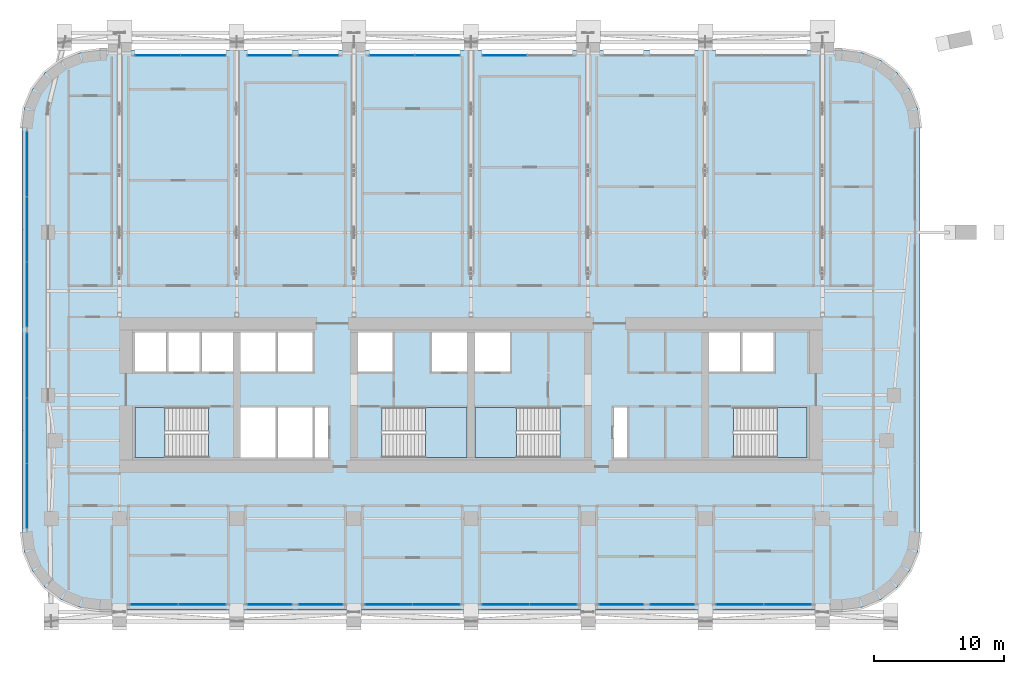
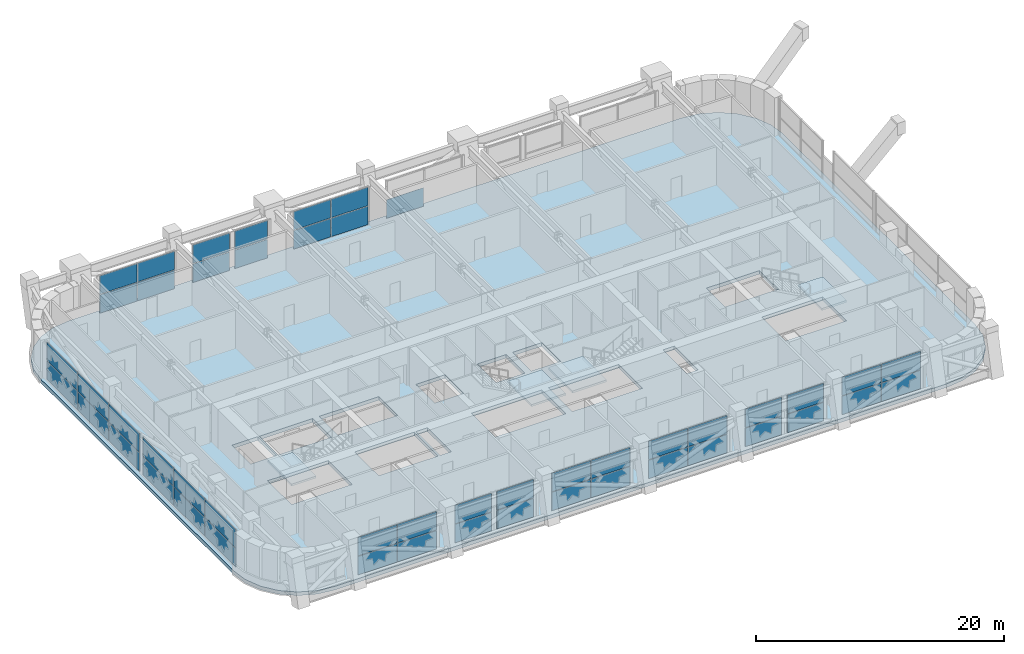
# One storey, part 11 of 27: 49 plates, 5 slabs, 19 elements without a shape of their own.
"""IFC4 building model written with IfcOpenShell, lengths in metres."""

from ifc_helpers import new_model, si_unit, direction, frame, origin, origin_2d, place, context, subcontext, project, spatial, polyline, rectangle, outline, extrude, material, layer, layer_set, type_object, element, aggregate, save


model = new_model("IFC4")

# Units and contexts
model_context = context("Model", 3, precision=1e-05, world=origin(), true_north=direction((0.0, 1.0)))
body_context = subcontext(model_context, "Body", "Model", "MODEL_VIEW")
ifc_project = project(units=[si_unit("LENGTHUNIT", "METRE"), si_unit("AREAUNIT", "SQUARE_METRE"), si_unit("VOLUMEUNIT", "CUBIC_METRE"), si_unit("PLANEANGLEUNIT", "RADIAN"), si_unit("MASSUNIT", "GRAM", prefix="KILO")], contexts=[model_context])

# Site, building, storey
site_placement = place(None, origin())
site = spatial("IfcSite", under=ifc_project, at=site_placement, CompositionType="ELEMENT")
building_placement = place(site_placement, origin())
building = spatial("IfcBuilding", under=site, at=building_placement, Name="Zellij Exchange Tower", CompositionType="ELEMENT")
storey_placement = place(building_placement, frame((0.0, 0.0, 104.5)))
storey = spatial("IfcBuildingStorey", under=building, at=storey_placement, Name="L22", CompositionType="ELEMENT", Elevation=104.5)

# Stair, slab
ifc_material_1 = material(Name="Concrete C40/50", Category="concrete")
stair_type = type_object("IfcStairType", Name="CORE-ST exit stair 1850 wide", PredefinedType="HALF_TURN_STAIR", material=ifc_material_1)
stair_1_placement = place(storey_placement, origin())
stair_1 = element("IfcStair", 1, at=stair_1_placement, inside=storey, type_object=stair_type, Name="L22 exit stair ST1", PredefinedType="HALF_TURN_STAIR")
ifc_layer_1 = layer(ifc_material_1, 0.199951171875)
ifc_layer_set_1 = layer_set([ifc_layer_1], Name="Concrete C40/50")
slab_type_1 = type_object("IfcSlabType", Name="CORE-SL stair landing 200", PredefinedType="LANDING", material=ifc_layer_set_1)
slab_1_placement = place(storey_placement, frame((0.0, 0.0, 1.800048828125)))
slab_1 = element("IfcSlab", 2, at=slab_1_placement, type_object=slab_type_1, Name="ST1 landing 1", PredefinedType="LANDING", context=body_context, shape_type="SweptSolid", body=[
    extrude(outline(polyline([(-23.510009765625, -8.949951171875), (-25.800048828125, -8.949951171875), (-25.800048828125, -12.800048828125), (-23.510009765625, -12.800048828125), (-23.510009765625, -8.949951171875)])), origin(), (0.0, 0.0, 1.0), 0.199951171875),
])
aggregate(stair_1, [slab_1])

stair_2_placement = place(storey_placement, origin())
stair_2 = element("IfcStair", 3, at=stair_2_placement, inside=storey, type_object=stair_type, Name="L22 exit stair ST2", PredefinedType="HALF_TURN_STAIR")
slab_2_placement = place(storey_placement, frame((0.0, 0.0, 1.800048828125)))
slab_2 = element("IfcSlab", 4, at=slab_2_placement, type_object=slab_type_1, Name="ST2 landing 1", PredefinedType="LANDING", context=body_context, shape_type="SweptSolid", body=[
    extrude(outline(polyline([(-3.489990234375, -12.800048828125), (-0.300048828125, -12.800048828125), (-0.300048828125, -8.949951171875), (-3.489990234375, -8.949951171875), (-3.489990234375, -12.800048828125)])), origin(), (0.0, 0.0, 1.0), 0.199951171875),
])
aggregate(stair_2, [slab_2])

stair_3_placement = place(storey_placement, origin())
stair_3 = element("IfcStair", 5, at=stair_3_placement, inside=storey, type_object=stair_type, Name="L22 exit stair ST3", PredefinedType="HALF_TURN_STAIR")
slab_3_placement = place(storey_placement, frame((0.0, 0.0, 1.800048828125)))
slab_3 = element("IfcSlab", 6, at=slab_3_placement, type_object=slab_type_1, Name="ST3 landing 1", PredefinedType="LANDING", context=body_context, shape_type="SweptSolid", body=[
    extrude(outline(polyline([(3.489990234375, -8.949951171875), (0.300048828125, -8.949951171875), (0.300048828125, -12.800048828125), (3.489990234375, -12.800048828125), (3.489990234375, -8.949951171875)])), origin(), (0.0, 0.0, 1.0), 0.199951171875),
])
aggregate(stair_3, [slab_3])

stair_4_placement = place(storey_placement, origin())
stair_4 = element("IfcStair", 7, at=stair_4_placement, inside=storey, type_object=stair_type, Name="L22 exit stair ST4", PredefinedType="HALF_TURN_STAIR")
slab_4_placement = place(storey_placement, frame((0.0, 0.0, 1.800048828125)))
slab_4 = element("IfcSlab", 8, at=slab_4_placement, type_object=slab_type_1, Name="ST4 landing 1", PredefinedType="LANDING", context=body_context, shape_type="SweptSolid", body=[
    extrude(outline(polyline([(23.510009765625, -12.800048828125), (25.800048828125, -12.800048828125), (25.800048828125, -8.949951171875), (23.510009765625, -8.949951171875), (23.510009765625, -12.800048828125)])), origin(), (0.0, 0.0, 1.0), 0.199951171875),
])
aggregate(stair_4, [slab_4])

# Curtain wall, plates
ifc_material_2 = material(Name="Aluminium frame, clear insulating glass", Category="aluminium")
curtain_wall_type = type_object("IfcCurtainWallType", Name="ENV-CW2 Outrigger-storey glazing", PredefinedType="NOTDEFINED", material=ifc_material_2)
curtain_wall_1_placement = place(storey_placement, origin())
curtain_wall_1 = element("IfcCurtainWall", 9, at=curtain_wall_1_placement, inside=storey, type_object=curtain_wall_type, Name="cw.L22.00b", PredefinedType="NOTDEFINED")
ifc_material_3 = material(Name="Aluminium louvre", Category="aluminium")
ifc_layer_2 = layer(ifc_material_3, 0.031982421875)
ifc_layer_set_2 = layer_set([ifc_layer_2], Name="Aluminium louvre")
plate_type_1 = type_object("IfcPlateType", Name="ENV-CW2L Louvred panel 32", PredefinedType="CURTAIN_PANEL", material=ifc_layer_set_2)
plate_1_placement = place(storey_placement, frame((-24.3349609375, -24.10009765625, 1.929931640625), z_axis=(0.0, 0.0, 1.0), x_axis=(1.0, 0.0, 0.0)))
plate_1 = element("IfcPlate", 10, at=plate_1_placement, type_object=plate_type_1, Name="CW2 panel 1.2", PredefinedType="CURTAIN_PANEL", context=body_context, shape_type="SweptSolid", body=[
    extrude(rectangle(XDim=3.610107421875, YDim=0.031982421875, at=origin_2d()), origin(), (0.0, 0.0, 1.0), 1.81005859375),
])
plate_2_placement = place(storey_placement, frame((-20.6650390625, -24.10009765625, 0.06005859375), z_axis=(0.0, 0.0, 1.0), x_axis=(1.0, 0.0, 0.0)))
plate_2 = element("IfcPlate", 11, at=plate_2_placement, type_object=plate_type_1, Name="CW2 panel 2.1", PredefinedType="CURTAIN_PANEL", context=body_context, shape_type="SweptSolid", body=[
    extrude(rectangle(XDim=3.610107421875, YDim=0.031982421875, at=origin_2d()), origin(), (0.0, 0.0, 1.0), 1.81005859375),
])

# Curtain wall, plate
curtain_wall_2_placement = place(storey_placement, origin())
curtain_wall_2 = element("IfcCurtainWall", 12, at=curtain_wall_2_placement, inside=storey, type_object=curtain_wall_type, Name="cw.L22.00c", PredefinedType="NOTDEFINED")
plate_3_placement = place(storey_placement, frame((-15.449951171875, -24.10009765625, 0.06005859375), z_axis=(0.0, 0.0, 1.0), x_axis=(1.0, 0.0, 0.0)))
plate_3 = element("IfcPlate", 13, at=plate_3_placement, type_object=plate_type_1, Name="CW2 panel 1.1", PredefinedType="CURTAIN_PANEL", context=body_context, shape_type="SweptSolid", body=[
    extrude(rectangle(XDim=3.3798828125, YDim=0.031982421875, at=origin_2d()), origin(), (0.0, 0.0, 1.0), 1.81005859375),
])

curtain_wall_3_placement = place(storey_placement, origin())
curtain_wall_3 = element("IfcCurtainWall", 14, at=curtain_wall_3_placement, inside=storey, type_object=curtain_wall_type, Name="cw.L22.00d", PredefinedType="NOTDEFINED")
plate_4_placement = place(storey_placement, frame((-11.550048828125, -24.10009765625, 1.929931640625), z_axis=(0.0, 0.0, 1.0), x_axis=(1.0, 0.0, 0.0)))
plate_4 = element("IfcPlate", 15, at=plate_4_placement, type_object=plate_type_1, Name="CW2 panel 1.2", PredefinedType="CURTAIN_PANEL", context=body_context, shape_type="SweptSolid", body=[
    extrude(rectangle(XDim=3.3798828125, YDim=0.031982421875, at=origin_2d()), origin(), (0.0, 0.0, 1.0), 1.81005859375),
])

# Curtain wall, plates
curtain_wall_4_placement = place(storey_placement, origin())
curtain_wall_4 = element("IfcCurtainWall", 16, at=curtain_wall_4_placement, inside=storey, type_object=curtain_wall_type, Name="cw.L22.00e", PredefinedType="NOTDEFINED")
plate_5_placement = place(storey_placement, frame((-6.3349609375, -24.10009765625, 1.929931640625), z_axis=(0.0, 0.0, 1.0), x_axis=(1.0, 0.0, 0.0)))
plate_5 = element("IfcPlate", 17, at=plate_5_placement, type_object=plate_type_1, Name="CW2 panel 1.2", PredefinedType="CURTAIN_PANEL", context=body_context, shape_type="SweptSolid", body=[
    extrude(rectangle(XDim=3.610107421875, YDim=0.031982421875, at=origin_2d()), origin(), (0.0, 0.0, 1.0), 1.81005859375),
])
plate_6_placement = place(storey_placement, frame((-2.6650390625, -24.10009765625, 0.06005859375), z_axis=(0.0, 0.0, 1.0), x_axis=(1.0, 0.0, 0.0)))
plate_6 = element("IfcPlate", 18, at=plate_6_placement, type_object=plate_type_1, Name="CW2 panel 2.1", PredefinedType="CURTAIN_PANEL", context=body_context, shape_type="SweptSolid", body=[
    extrude(rectangle(XDim=3.610107421875, YDim=0.031982421875, at=origin_2d()), origin(), (0.0, 0.0, 1.0), 1.81005859375),
])

curtain_wall_5_placement = place(storey_placement, origin())
curtain_wall_5 = element("IfcCurtainWall", 19, at=curtain_wall_5_placement, inside=storey, type_object=curtain_wall_type, Name="cw.L22.00f", PredefinedType="NOTDEFINED")
plate_7_placement = place(storey_placement, frame((2.6650390625, -24.10009765625, 0.06005859375), z_axis=(0.0, 0.0, 1.0), x_axis=(1.0, 0.0, 0.0)))
plate_7 = element("IfcPlate", 20, at=plate_7_placement, type_object=plate_type_1, Name="CW2 panel 1.1", PredefinedType="CURTAIN_PANEL", context=body_context, shape_type="SweptSolid", body=[
    extrude(rectangle(XDim=3.610107421875, YDim=0.031982421875, at=origin_2d()), origin(), (0.0, 0.0, 1.0), 1.81005859375),
])
plate_8_placement = place(storey_placement, frame((6.3349609375, -24.10009765625, 1.929931640625), z_axis=(0.0, 0.0, 1.0), x_axis=(1.0, 0.0, 0.0)))
plate_8 = element("IfcPlate", 21, at=plate_8_placement, type_object=plate_type_1, Name="CW2 panel 2.2", PredefinedType="CURTAIN_PANEL", context=body_context, shape_type="SweptSolid", body=[
    extrude(rectangle(XDim=3.610107421875, YDim=0.031982421875, at=origin_2d()), origin(), (0.0, 0.0, 1.0), 1.81005859375),
])

# Curtain wall, plate
curtain_wall_6_placement = place(storey_placement, origin())
curtain_wall_6 = element("IfcCurtainWall", 22, at=curtain_wall_6_placement, inside=storey, type_object=curtain_wall_type, Name="cw.L22.00g", PredefinedType="NOTDEFINED")
plate_9_placement = place(storey_placement, frame((11.550048828125, -24.10009765625, 1.929931640625), z_axis=(0.0, 0.0, 1.0), x_axis=(1.0, 0.0, 0.0)))
plate_9 = element("IfcPlate", 23, at=plate_9_placement, type_object=plate_type_1, Name="CW2 panel 1.2", PredefinedType="CURTAIN_PANEL", context=body_context, shape_type="SweptSolid", body=[
    extrude(rectangle(XDim=3.3798828125, YDim=0.031982421875, at=origin_2d()), origin(), (0.0, 0.0, 1.0), 1.81005859375),
])

curtain_wall_7_placement = place(storey_placement, origin())
curtain_wall_7 = element("IfcCurtainWall", 24, at=curtain_wall_7_placement, inside=storey, type_object=curtain_wall_type, Name="cw.L22.00h", PredefinedType="NOTDEFINED")
plate_10_placement = place(storey_placement, frame((15.449951171875, -24.10009765625, 0.06005859375), z_axis=(0.0, 0.0, 1.0), x_axis=(1.0, 0.0, 0.0)))
plate_10 = element("IfcPlate", 25, at=plate_10_placement, type_object=plate_type_1, Name="CW2 panel 1.1", PredefinedType="CURTAIN_PANEL", context=body_context, shape_type="SweptSolid", body=[
    extrude(rectangle(XDim=3.3798828125, YDim=0.031982421875, at=origin_2d()), origin(), (0.0, 0.0, 1.0), 1.81005859375),
])

# Curtain wall, plates
curtain_wall_8_placement = place(storey_placement, origin())
curtain_wall_8 = element("IfcCurtainWall", 26, at=curtain_wall_8_placement, inside=storey, type_object=curtain_wall_type, Name="cw.L22.00i", PredefinedType="NOTDEFINED")
plate_11_placement = place(storey_placement, frame((20.6650390625, -24.10009765625, 0.06005859375), z_axis=(0.0, 0.0, 1.0), x_axis=(1.0, 0.0, 0.0)))
plate_11 = element("IfcPlate", 27, at=plate_11_placement, type_object=plate_type_1, Name="CW2 panel 1.1", PredefinedType="CURTAIN_PANEL", context=body_context, shape_type="SweptSolid", body=[
    extrude(rectangle(XDim=3.610107421875, YDim=0.031982421875, at=origin_2d()), origin(), (0.0, 0.0, 1.0), 1.81005859375),
])
plate_12_placement = place(storey_placement, frame((24.3349609375, -24.10009765625, 1.929931640625), z_axis=(0.0, 0.0, 1.0), x_axis=(1.0, 0.0, 0.0)))
plate_12 = element("IfcPlate", 28, at=plate_12_placement, type_object=plate_type_1, Name="CW2 panel 2.2", PredefinedType="CURTAIN_PANEL", context=body_context, shape_type="SweptSolid", body=[
    extrude(rectangle(XDim=3.610107421875, YDim=0.031982421875, at=origin_2d()), origin(), (0.0, 0.0, 1.0), 1.81005859375),
])

# Curtain wall, plate
curtain_wall_9_placement = place(storey_placement, origin())
curtain_wall_9 = element("IfcCurtainWall", 29, at=curtain_wall_9_placement, inside=storey, type_object=curtain_wall_type, Name="cw.L22.14e", PredefinedType="NOTDEFINED")
plate_13_placement = place(storey_placement, frame((2.577392578125, 18.10009765625, 0.06005859375), z_axis=(0.0, 0.0, 1.0), x_axis=(-1.0, 0.0, 0.0)))
plate_13 = element("IfcPlate", 30, at=plate_13_placement, type_object=plate_type_1, Name="CW2 panel 2.1", PredefinedType="CURTAIN_PANEL", context=body_context, shape_type="SweptSolid", body=[
    extrude(rectangle(XDim=3.43505859375, YDim=0.031982421875, at=origin_2d()), origin(), (0.0, 0.0, 1.0), 1.81005859375),
])
aggregate(curtain_wall_9, [plate_13])

# Curtain wall, plates
curtain_wall_10_placement = place(storey_placement, origin())
curtain_wall_10 = element("IfcCurtainWall", 31, at=curtain_wall_10_placement, inside=storey, type_object=curtain_wall_type, Name="cw.L22.14f", PredefinedType="NOTDEFINED")
plate_14_placement = place(storey_placement, frame((-2.577392578125, 18.10009765625, 0.06005859375), z_axis=(0.0, 0.0, 1.0), x_axis=(-1.0, 0.0, 0.0)))
plate_14 = element("IfcPlate", 32, at=plate_14_placement, type_object=plate_type_1, Name="CW2 panel 1.1", PredefinedType="CURTAIN_PANEL", context=body_context, shape_type="SweptSolid", body=[
    extrude(rectangle(XDim=3.43505859375, YDim=0.031982421875, at=origin_2d()), origin(), (0.0, 0.0, 1.0), 1.81005859375),
])
plate_15_placement = place(storey_placement, frame((-6.072509765625, 18.10009765625, 1.929931640625), z_axis=(0.0, 0.0, 1.0), x_axis=(-1.0, 0.0, 0.0)))
plate_15 = element("IfcPlate", 33, at=plate_15_placement, type_object=plate_type_1, Name="CW2 panel 2.2", PredefinedType="CURTAIN_PANEL", context=body_context, shape_type="SweptSolid", body=[
    extrude(rectangle(XDim=3.43505859375, YDim=0.031982421875, at=origin_2d()), origin(), (0.0, 0.0, 1.0), 1.81005859375),
])

# Curtain wall, plate
curtain_wall_11_placement = place(storey_placement, origin())
curtain_wall_11 = element("IfcCurtainWall", 34, at=curtain_wall_11_placement, inside=storey, type_object=curtain_wall_type, Name="cw.L22.14g", PredefinedType="NOTDEFINED")
plate_16_placement = place(storey_placement, frame((-11.72509765625, 18.10009765625, 1.929931640625), z_axis=(0.0, 0.0, 1.0), x_axis=(-1.0, 0.0, 0.0)))
plate_16 = element("IfcPlate", 35, at=plate_16_placement, type_object=plate_type_1, Name="CW2 panel 1.2", PredefinedType="CURTAIN_PANEL", context=body_context, shape_type="SweptSolid", body=[
    extrude(rectangle(XDim=3.030029296875, YDim=0.031982421875, at=origin_2d()), origin(), (0.0, 0.0, 1.0), 1.81005859375),
])

curtain_wall_12_placement = place(storey_placement, origin())
curtain_wall_12 = element("IfcCurtainWall", 36, at=curtain_wall_12_placement, inside=storey, type_object=curtain_wall_type, Name="cw.L22.14h", PredefinedType="NOTDEFINED")
plate_17_placement = place(storey_placement, frame((-15.449951171875, 18.10009765625, 0.06005859375), z_axis=(0.0, 0.0, 1.0), x_axis=(-1.0, 0.0, 0.0)))
plate_17 = element("IfcPlate", 37, at=plate_17_placement, type_object=plate_type_1, Name="CW2 panel 1.1", PredefinedType="CURTAIN_PANEL", context=body_context, shape_type="SweptSolid", body=[
    extrude(rectangle(XDim=3.3798828125, YDim=0.031982421875, at=origin_2d()), origin(), (0.0, 0.0, 1.0), 1.81005859375),
])

# Curtain wall, plates
curtain_wall_13_placement = place(storey_placement, origin())
curtain_wall_13 = element("IfcCurtainWall", 38, at=curtain_wall_13_placement, inside=storey, type_object=curtain_wall_type, Name="cw.L22.14i", PredefinedType="NOTDEFINED")
plate_18_placement = place(storey_placement, frame((-20.577392578125, 18.10009765625, 0.06005859375), z_axis=(0.0, 0.0, 1.0), x_axis=(-1.0, 0.0, 0.0)))
plate_18 = element("IfcPlate", 39, at=plate_18_placement, type_object=plate_type_1, Name="CW2 panel 1.1", PredefinedType="CURTAIN_PANEL", context=body_context, shape_type="SweptSolid", body=[
    extrude(rectangle(XDim=3.43505859375, YDim=0.031982421875, at=origin_2d()), origin(), (0.0, 0.0, 1.0), 1.81005859375),
])
plate_19_placement = place(storey_placement, frame((-24.072509765625, 18.10009765625, 1.929931640625), z_axis=(0.0, 0.0, 1.0), x_axis=(-1.0, 0.0, 0.0)))
plate_19 = element("IfcPlate", 40, at=plate_19_placement, type_object=plate_type_1, Name="CW2 panel 2.2", PredefinedType="CURTAIN_PANEL", context=body_context, shape_type="SweptSolid", body=[
    extrude(rectangle(XDim=3.43505859375, YDim=0.031982421875, at=origin_2d()), origin(), (0.0, 0.0, 1.0), 1.81005859375),
])

curtain_wall_14_placement = place(storey_placement, origin())
curtain_wall_14 = element("IfcCurtainWall", 41, at=curtain_wall_14_placement, inside=storey, type_object=curtain_wall_type, Name="cw.L22.21a", PredefinedType="NOTDEFINED")
plate_20_placement = place(storey_placement, frame((-34.10009765625, 9.74658203125, 0.06005859375), z_axis=(0.0, 0.0, 1.0), x_axis=(0.0, -1.0, 0.0)))
plate_20 = element("IfcPlate", 42, at=plate_20_placement, type_object=plate_type_1, Name="CW2 panel 1.1", PredefinedType="CURTAIN_PANEL", context=body_context, shape_type="SweptSolid", body=[
    extrude(rectangle(XDim=4.9345703125, YDim=0.031982421875, at=origin_2d()), origin(), (0.0, 0.0, 1.0), 1.81005859375),
])
plate_21_placement = place(storey_placement, frame((-34.10009765625, 9.74658203125, 1.929931640625), z_axis=(0.0, 0.0, 1.0), x_axis=(0.0, -1.0, 0.0)))
plate_21 = element("IfcPlate", 43, at=plate_21_placement, type_object=plate_type_1, Name="CW2 panel 1.2", PredefinedType="CURTAIN_PANEL", context=body_context, shape_type="SweptSolid", body=[
    extrude(rectangle(XDim=4.9345703125, YDim=0.031982421875, at=origin_2d()), origin(), (0.0, 0.0, 1.0), 1.81005859375),
])
plate_22_placement = place(storey_placement, frame((-34.10009765625, 4.73681640625, 0.06005859375), z_axis=(0.0, 0.0, 1.0), x_axis=(0.0, -1.0, 0.0)))
plate_22 = element("IfcPlate", 44, at=plate_22_placement, type_object=plate_type_1, Name="CW2 panel 2.1", PredefinedType="CURTAIN_PANEL", context=body_context, shape_type="SweptSolid", body=[
    extrude(rectangle(XDim=4.964599609375, YDim=0.031982421875, at=origin_2d()), origin(), (0.0, 0.0, 1.0), 1.81005859375),
])
plate_23_placement = place(storey_placement, frame((-34.10009765625, -0.272705078125, 0.06005859375), z_axis=(0.0, 0.0, 1.0), x_axis=(0.0, -1.0, 0.0)))
plate_23 = element("IfcPlate", 45, at=plate_23_placement, type_object=plate_type_1, Name="CW2 panel 3.1", PredefinedType="CURTAIN_PANEL", context=body_context, shape_type="SweptSolid", body=[
    extrude(rectangle(XDim=4.9345703125, YDim=0.031982421875, at=origin_2d()), origin(), (0.0, 0.0, 1.0), 1.81005859375),
])
plate_24_placement = place(storey_placement, frame((-34.10009765625, -0.272705078125, 1.929931640625), z_axis=(0.0, 0.0, 1.0), x_axis=(0.0, -1.0, 0.0)))
plate_24 = element("IfcPlate", 46, at=plate_24_placement, type_object=plate_type_1, Name="CW2 panel 3.2", PredefinedType="CURTAIN_PANEL", context=body_context, shape_type="SweptSolid", body=[
    extrude(rectangle(XDim=4.9345703125, YDim=0.031982421875, at=origin_2d()), origin(), (0.0, 0.0, 1.0), 1.81005859375),
])

curtain_wall_15_placement = place(storey_placement, origin())
curtain_wall_15 = element("IfcCurtainWall", 47, at=curtain_wall_15_placement, inside=storey, type_object=curtain_wall_type, Name="cw.L22.21b", PredefinedType="NOTDEFINED")
plate_25_placement = place(storey_placement, frame((-34.10009765625, -5.727294921875, 1.929931640625), z_axis=(0.0, 0.0, 1.0), x_axis=(0.0, -1.0, 0.0)))
plate_25 = element("IfcPlate", 48, at=plate_25_placement, type_object=plate_type_1, Name="CW2 panel 1.2", PredefinedType="CURTAIN_PANEL", context=body_context, shape_type="SweptSolid", body=[
    extrude(rectangle(XDim=4.9345703125, YDim=0.031982421875, at=origin_2d()), origin(), (0.0, 0.0, 1.0), 1.81005859375),
])
plate_26_placement = place(storey_placement, frame((-34.10009765625, -10.73681640625, 1.929931640625), z_axis=(0.0, 0.0, 1.0), x_axis=(0.0, -1.0, 0.0)))
plate_26 = element("IfcPlate", 49, at=plate_26_placement, type_object=plate_type_1, Name="CW2 panel 2.2", PredefinedType="CURTAIN_PANEL", context=body_context, shape_type="SweptSolid", body=[
    extrude(rectangle(XDim=4.964599609375, YDim=0.031982421875, at=origin_2d()), origin(), (0.0, 0.0, 1.0), 1.81005859375),
])
plate_27_placement = place(storey_placement, frame((-34.10009765625, -15.74658203125, 1.929931640625), z_axis=(0.0, 0.0, 1.0), x_axis=(0.0, -1.0, 0.0)))
plate_27 = element("IfcPlate", 50, at=plate_27_placement, type_object=plate_type_1, Name="CW2 panel 3.2", PredefinedType="CURTAIN_PANEL", context=body_context, shape_type="SweptSolid", body=[
    extrude(rectangle(XDim=4.9345703125, YDim=0.031982421875, at=origin_2d()), origin(), (0.0, 0.0, 1.0), 1.81005859375),
])

# Plate
ifc_material_4 = material(Name="Insulating glass unit, clear", Category="glass")
ifc_layer_3 = layer(ifc_material_4, 0.031982421875)
ifc_layer_set_3 = layer_set([ifc_layer_3], Name="Insulating glass unit, clear")
plate_type_2 = type_object("IfcPlateType", Name="ENV-CW2P Glazed panel 32", PredefinedType="CURTAIN_PANEL", material=ifc_layer_set_3)
plate_28_placement = place(storey_placement, frame((-24.3349609375, -24.10009765625, 0.06005859375), z_axis=(0.0, 0.0, 1.0), x_axis=(1.0, 0.0, 0.0)))
plate_28 = element("IfcPlate", 51, at=plate_28_placement, type_object=plate_type_2, Name="CW2 panel 1.1", PredefinedType="CURTAIN_PANEL", context=body_context, shape_type="SweptSolid", body=[
    extrude(rectangle(XDim=3.610107421875, YDim=0.031982421875, at=origin_2d()), origin(), (0.0, 0.0, 1.0), 1.81005859375),
])

plate_29_placement = place(storey_placement, frame((-20.6650390625, -24.10009765625, 1.929931640625), z_axis=(0.0, 0.0, 1.0), x_axis=(1.0, 0.0, 0.0)))
plate_29 = element("IfcPlate", 52, at=plate_29_placement, type_object=plate_type_2, Name="CW2 panel 2.2", PredefinedType="CURTAIN_PANEL", context=body_context, shape_type="SweptSolid", body=[
    extrude(rectangle(XDim=3.610107421875, YDim=0.031982421875, at=origin_2d()), origin(), (0.0, 0.0, 1.0), 1.81005859375),
])

aggregate(curtain_wall_1, [plate_28, plate_1, plate_2, plate_29])

plate_30_placement = place(storey_placement, frame((-15.449951171875, -24.10009765625, 1.929931640625), z_axis=(0.0, 0.0, 1.0), x_axis=(1.0, 0.0, 0.0)))
plate_30 = element("IfcPlate", 53, at=plate_30_placement, type_object=plate_type_2, Name="CW2 panel 1.2", PredefinedType="CURTAIN_PANEL", context=body_context, shape_type="SweptSolid", body=[
    extrude(rectangle(XDim=3.3798828125, YDim=0.031982421875, at=origin_2d()), origin(), (0.0, 0.0, 1.0), 1.81005859375),
])

aggregate(curtain_wall_2, [plate_3, plate_30])

plate_31_placement = place(storey_placement, frame((-11.550048828125, -24.10009765625, 0.06005859375), z_axis=(0.0, 0.0, 1.0), x_axis=(1.0, 0.0, 0.0)))
plate_31 = element("IfcPlate", 54, at=plate_31_placement, type_object=plate_type_2, Name="CW2 panel 1.1", PredefinedType="CURTAIN_PANEL", context=body_context, shape_type="SweptSolid", body=[
    extrude(rectangle(XDim=3.3798828125, YDim=0.031982421875, at=origin_2d()), origin(), (0.0, 0.0, 1.0), 1.81005859375),
])

aggregate(curtain_wall_3, [plate_31, plate_4])

plate_32_placement = place(storey_placement, frame((-6.3349609375, -24.10009765625, 0.06005859375), z_axis=(0.0, 0.0, 1.0), x_axis=(1.0, 0.0, 0.0)))
plate_32 = element("IfcPlate", 55, at=plate_32_placement, type_object=plate_type_2, Name="CW2 panel 1.1", PredefinedType="CURTAIN_PANEL", context=body_context, shape_type="SweptSolid", body=[
    extrude(rectangle(XDim=3.610107421875, YDim=0.031982421875, at=origin_2d()), origin(), (0.0, 0.0, 1.0), 1.81005859375),
])

plate_33_placement = place(storey_placement, frame((-2.6650390625, -24.10009765625, 1.929931640625), z_axis=(0.0, 0.0, 1.0), x_axis=(1.0, 0.0, 0.0)))
plate_33 = element("IfcPlate", 56, at=plate_33_placement, type_object=plate_type_2, Name="CW2 panel 2.2", PredefinedType="CURTAIN_PANEL", context=body_context, shape_type="SweptSolid", body=[
    extrude(rectangle(XDim=3.610107421875, YDim=0.031982421875, at=origin_2d()), origin(), (0.0, 0.0, 1.0), 1.81005859375),
])

aggregate(curtain_wall_4, [plate_32, plate_5, plate_6, plate_33])

plate_34_placement = place(storey_placement, frame((2.6650390625, -24.10009765625, 1.929931640625), z_axis=(0.0, 0.0, 1.0), x_axis=(1.0, 0.0, 0.0)))
plate_34 = element("IfcPlate", 57, at=plate_34_placement, type_object=plate_type_2, Name="CW2 panel 1.2", PredefinedType="CURTAIN_PANEL", context=body_context, shape_type="SweptSolid", body=[
    extrude(rectangle(XDim=3.610107421875, YDim=0.031982421875, at=origin_2d()), origin(), (0.0, 0.0, 1.0), 1.81005859375),
])

plate_35_placement = place(storey_placement, frame((6.3349609375, -24.10009765625, 0.06005859375), z_axis=(0.0, 0.0, 1.0), x_axis=(1.0, 0.0, 0.0)))
plate_35 = element("IfcPlate", 58, at=plate_35_placement, type_object=plate_type_2, Name="CW2 panel 2.1", PredefinedType="CURTAIN_PANEL", context=body_context, shape_type="SweptSolid", body=[
    extrude(rectangle(XDim=3.610107421875, YDim=0.031982421875, at=origin_2d()), origin(), (0.0, 0.0, 1.0), 1.81005859375),
])

aggregate(curtain_wall_5, [plate_7, plate_34, plate_35, plate_8])

plate_36_placement = place(storey_placement, frame((11.550048828125, -24.10009765625, 0.06005859375), z_axis=(0.0, 0.0, 1.0), x_axis=(1.0, 0.0, 0.0)))
plate_36 = element("IfcPlate", 59, at=plate_36_placement, type_object=plate_type_2, Name="CW2 panel 1.1", PredefinedType="CURTAIN_PANEL", context=body_context, shape_type="SweptSolid", body=[
    extrude(rectangle(XDim=3.3798828125, YDim=0.031982421875, at=origin_2d()), origin(), (0.0, 0.0, 1.0), 1.81005859375),
])

aggregate(curtain_wall_6, [plate_36, plate_9])

plate_37_placement = place(storey_placement, frame((15.449951171875, -24.10009765625, 1.929931640625), z_axis=(0.0, 0.0, 1.0), x_axis=(1.0, 0.0, 0.0)))
plate_37 = element("IfcPlate", 60, at=plate_37_placement, type_object=plate_type_2, Name="CW2 panel 1.2", PredefinedType="CURTAIN_PANEL", context=body_context, shape_type="SweptSolid", body=[
    extrude(rectangle(XDim=3.3798828125, YDim=0.031982421875, at=origin_2d()), origin(), (0.0, 0.0, 1.0), 1.81005859375),
])

aggregate(curtain_wall_7, [plate_10, plate_37])

plate_38_placement = place(storey_placement, frame((20.6650390625, -24.10009765625, 1.929931640625), z_axis=(0.0, 0.0, 1.0), x_axis=(1.0, 0.0, 0.0)))
plate_38 = element("IfcPlate", 61, at=plate_38_placement, type_object=plate_type_2, Name="CW2 panel 1.2", PredefinedType="CURTAIN_PANEL", context=body_context, shape_type="SweptSolid", body=[
    extrude(rectangle(XDim=3.610107421875, YDim=0.031982421875, at=origin_2d()), origin(), (0.0, 0.0, 1.0), 1.81005859375),
])

plate_39_placement = place(storey_placement, frame((24.3349609375, -24.10009765625, 0.06005859375), z_axis=(0.0, 0.0, 1.0), x_axis=(1.0, 0.0, 0.0)))
plate_39 = element("IfcPlate", 62, at=plate_39_placement, type_object=plate_type_2, Name="CW2 panel 2.1", PredefinedType="CURTAIN_PANEL", context=body_context, shape_type="SweptSolid", body=[
    extrude(rectangle(XDim=3.610107421875, YDim=0.031982421875, at=origin_2d()), origin(), (0.0, 0.0, 1.0), 1.81005859375),
])

aggregate(curtain_wall_8, [plate_11, plate_38, plate_39, plate_12])

plate_40_placement = place(storey_placement, frame((-2.577392578125, 18.10009765625, 1.929931640625), z_axis=(0.0, 0.0, 1.0), x_axis=(-1.0, 0.0, 0.0)))
plate_40 = element("IfcPlate", 63, at=plate_40_placement, type_object=plate_type_2, Name="CW2 panel 1.2", PredefinedType="CURTAIN_PANEL", context=body_context, shape_type="SweptSolid", body=[
    extrude(rectangle(XDim=3.43505859375, YDim=0.031982421875, at=origin_2d()), origin(), (0.0, 0.0, 1.0), 1.81005859375),
])

plate_41_placement = place(storey_placement, frame((-6.072509765625, 18.10009765625, 0.06005859375), z_axis=(0.0, 0.0, 1.0), x_axis=(-1.0, 0.0, 0.0)))
plate_41 = element("IfcPlate", 64, at=plate_41_placement, type_object=plate_type_2, Name="CW2 panel 2.1", PredefinedType="CURTAIN_PANEL", context=body_context, shape_type="SweptSolid", body=[
    extrude(rectangle(XDim=3.43505859375, YDim=0.031982421875, at=origin_2d()), origin(), (0.0, 0.0, 1.0), 1.81005859375),
])

aggregate(curtain_wall_10, [plate_14, plate_40, plate_41, plate_15])

plate_42_placement = place(storey_placement, frame((-11.72509765625, 18.10009765625, 0.06005859375), z_axis=(0.0, 0.0, 1.0), x_axis=(-1.0, 0.0, 0.0)))
plate_42 = element("IfcPlate", 65, at=plate_42_placement, type_object=plate_type_2, Name="CW2 panel 1.1", PredefinedType="CURTAIN_PANEL", context=body_context, shape_type="SweptSolid", body=[
    extrude(rectangle(XDim=3.030029296875, YDim=0.031982421875, at=origin_2d()), origin(), (0.0, 0.0, 1.0), 1.81005859375),
])

aggregate(curtain_wall_11, [plate_42, plate_16])

plate_43_placement = place(storey_placement, frame((-15.449951171875, 18.10009765625, 1.929931640625), z_axis=(0.0, 0.0, 1.0), x_axis=(-1.0, 0.0, 0.0)))
plate_43 = element("IfcPlate", 66, at=plate_43_placement, type_object=plate_type_2, Name="CW2 panel 1.2", PredefinedType="CURTAIN_PANEL", context=body_context, shape_type="SweptSolid", body=[
    extrude(rectangle(XDim=3.3798828125, YDim=0.031982421875, at=origin_2d()), origin(), (0.0, 0.0, 1.0), 1.81005859375),
])

aggregate(curtain_wall_12, [plate_17, plate_43])

plate_44_placement = place(storey_placement, frame((-20.577392578125, 18.10009765625, 1.929931640625), z_axis=(0.0, 0.0, 1.0), x_axis=(-1.0, 0.0, 0.0)))
plate_44 = element("IfcPlate", 67, at=plate_44_placement, type_object=plate_type_2, Name="CW2 panel 1.2", PredefinedType="CURTAIN_PANEL", context=body_context, shape_type="SweptSolid", body=[
    extrude(rectangle(XDim=3.43505859375, YDim=0.031982421875, at=origin_2d()), origin(), (0.0, 0.0, 1.0), 1.81005859375),
])

plate_45_placement = place(storey_placement, frame((-24.072509765625, 18.10009765625, 0.06005859375), z_axis=(0.0, 0.0, 1.0), x_axis=(-1.0, 0.0, 0.0)))
plate_45 = element("IfcPlate", 68, at=plate_45_placement, type_object=plate_type_2, Name="CW2 panel 2.1", PredefinedType="CURTAIN_PANEL", context=body_context, shape_type="SweptSolid", body=[
    extrude(rectangle(XDim=3.43505859375, YDim=0.031982421875, at=origin_2d()), origin(), (0.0, 0.0, 1.0), 1.81005859375),
])

aggregate(curtain_wall_13, [plate_18, plate_44, plate_45, plate_19])

plate_46_placement = place(storey_placement, frame((-34.10009765625, 4.73681640625, 1.929931640625), z_axis=(0.0, 0.0, 1.0), x_axis=(0.0, -1.0, 0.0)))
plate_46 = element("IfcPlate", 69, at=plate_46_placement, type_object=plate_type_2, Name="CW2 panel 2.2", PredefinedType="CURTAIN_PANEL", context=body_context, shape_type="SweptSolid", body=[
    extrude(rectangle(XDim=4.964599609375, YDim=0.031982421875, at=origin_2d()), origin(), (0.0, 0.0, 1.0), 1.81005859375),
])

aggregate(curtain_wall_14, [plate_20, plate_21, plate_22, plate_46, plate_23, plate_24])

plate_47_placement = place(storey_placement, frame((-34.10009765625, -5.727294921875, 0.06005859375), z_axis=(0.0, 0.0, 1.0), x_axis=(0.0, -1.0, 0.0)))
plate_47 = element("IfcPlate", 70, at=plate_47_placement, type_object=plate_type_2, Name="CW2 panel 1.1", PredefinedType="CURTAIN_PANEL", context=body_context, shape_type="SweptSolid", body=[
    extrude(rectangle(XDim=4.9345703125, YDim=0.031982421875, at=origin_2d()), origin(), (0.0, 0.0, 1.0), 1.81005859375),
])

plate_48_placement = place(storey_placement, frame((-34.10009765625, -10.73681640625, 0.06005859375), z_axis=(0.0, 0.0, 1.0), x_axis=(0.0, -1.0, 0.0)))
plate_48 = element("IfcPlate", 71, at=plate_48_placement, type_object=plate_type_2, Name="CW2 panel 2.1", PredefinedType="CURTAIN_PANEL", context=body_context, shape_type="SweptSolid", body=[
    extrude(rectangle(XDim=4.964599609375, YDim=0.031982421875, at=origin_2d()), origin(), (0.0, 0.0, 1.0), 1.81005859375),
])

plate_49_placement = place(storey_placement, frame((-34.10009765625, -15.74658203125, 0.06005859375), z_axis=(0.0, 0.0, 1.0), x_axis=(0.0, -1.0, 0.0)))
plate_49 = element("IfcPlate", 72, at=plate_49_placement, type_object=plate_type_2, Name="CW2 panel 3.1", PredefinedType="CURTAIN_PANEL", context=body_context, shape_type="SweptSolid", body=[
    extrude(rectangle(XDim=4.9345703125, YDim=0.031982421875, at=origin_2d()), origin(), (0.0, 0.0, 1.0), 1.81005859375),
])

aggregate(curtain_wall_15, [plate_47, plate_25, plate_48, plate_26, plate_49, plate_27])

# Slab
ifc_layer_4 = layer(ifc_material_1, 0.35009765625)
ifc_layer_set_4 = layer_set([ifc_layer_4], Name="Concrete C40/50")
slab_type_2 = type_object("IfcSlabType", Name="STR-FLOOR SLAB 350 C40/50", PredefinedType="FLOOR", material=ifc_layer_set_4)
slab_5_placement = place(storey_placement, frame((0.0, 0.0, -0.35009765625)))
element("IfcSlab", 73, at=slab_5_placement, inside=storey, type_object=slab_type_2, Name="Floor L22", PredefinedType="FLOOR", context=body_context, shape_type="SweptSolid", body=[
    extrude(outline(polyline([(-28.5, -24.5), (-30.052978515625, -24.295654296875), (-31.5, -23.6962890625), (-32.74267578125, -22.74267578125), (-33.6962890625, -21.5), (-34.295654296875, -20.052978515625), (-34.5, -18.5), (-34.5, 12.5), (-34.295654296875, 14.052978515625), (-33.6962890625, 15.5), (-32.74267578125, 16.74267578125), (-31.5, 17.6962890625), (-30.052978515625, 18.295654296875), (-28.5, 18.5), (28.5, 18.5), (30.052978515625, 18.295654296875), (31.5, 17.6962890625), (32.74267578125, 16.74267578125), (33.6962890625, 15.5), (34.295654296875, 14.052978515625), (34.5, 12.5), (34.5, -18.5), (34.295654296875, -20.052978515625), (33.6962890625, -21.5), (32.74267578125, -22.74267578125), (31.5, -23.6962890625), (30.052978515625, -24.295654296875), (28.5, -24.5), (-28.5, -24.5)]), holes=[polyline([(-25.800048828125, -8.949951171875), (-25.800048828125, -12.800048828125), (-20.153076171875, -12.800048828125), (-20.153076171875, -8.949951171875), (-25.800048828125, -8.949951171875)]), polyline([(-12.14990234375, -8.949951171875), (-17.699951171875, -8.949951171875), (-17.699951171875, -12.800048828125), (-12.14990234375, -12.800048828125), (-12.14990234375, -8.949951171875)]), polyline([(-10.949951171875, -8.949951171875), (-12.0, -8.949951171875), (-12.0, -12.800048828125), (-10.949951171875, -12.800048828125), (-10.949951171875, -8.949951171875)]), polyline([(-23.39990234375, -3.199951171875), (-25.800048828125, -3.199951171875), (-25.800048828125, -6.22509765625), (-23.39990234375, -6.22509765625), (-23.39990234375, -3.199951171875)]), polyline([(-18.300048828125, -3.199951171875), (-23.25, -3.199951171875), (-23.25, -6.22509765625), (-18.300048828125, -6.22509765625), (-18.300048828125, -3.199951171875)]), polyline([(-12.14990234375, -3.199951171875), (-17.699951171875, -3.199951171875), (-17.699951171875, -6.22509765625), (-12.14990234375, -6.22509765625), (-12.14990234375, -3.199951171875)]), polyline([(-6.0, -3.199951171875), (-8.699951171875, -3.199951171875), (-8.699951171875, -6.22509765625), (-6.0, -6.22509765625), (-6.0, -3.199951171875)]), polyline([(-6.846923828125, -8.949951171875), (-6.846923828125, -12.800048828125), (-0.300048828125, -12.800048828125), (-0.300048828125, -8.949951171875), (-6.846923828125, -8.949951171875)]), polyline([(6.846923828125, -8.949951171875), (0.300048828125, -8.949951171875), (0.300048828125, -12.800048828125), (6.846923828125, -12.800048828125), (6.846923828125, -8.949951171875)]), polyline([(12.0, -8.949951171875), (10.949951171875, -8.949951171875), (10.949951171875, -12.800048828125), (12.0, -12.800048828125), (12.0, -8.949951171875)]), polyline([(25.800048828125, -8.949951171875), (20.153076171875, -8.949951171875), (20.153076171875, -12.800048828125), (25.800048828125, -12.800048828125), (25.800048828125, -8.949951171875)]), polyline([(-0.300048828125, -3.199951171875), (-3.0, -3.199951171875), (-3.0, -6.22509765625), (-0.300048828125, -6.22509765625), (-0.300048828125, -3.199951171875)]), polyline([(3.0, -3.199951171875), (0.300048828125, -3.199951171875), (0.300048828125, -6.22509765625), (3.0, -6.22509765625), (3.0, -3.199951171875)]), polyline([(23.25, -3.199951171875), (18.300048828125, -3.199951171875), (18.300048828125, -6.22509765625), (23.25, -6.22509765625), (23.25, -3.199951171875)])]), origin(), (0.0, 0.0, 1.0), 0.35009765625),
])

save(model, "model.ifc")
